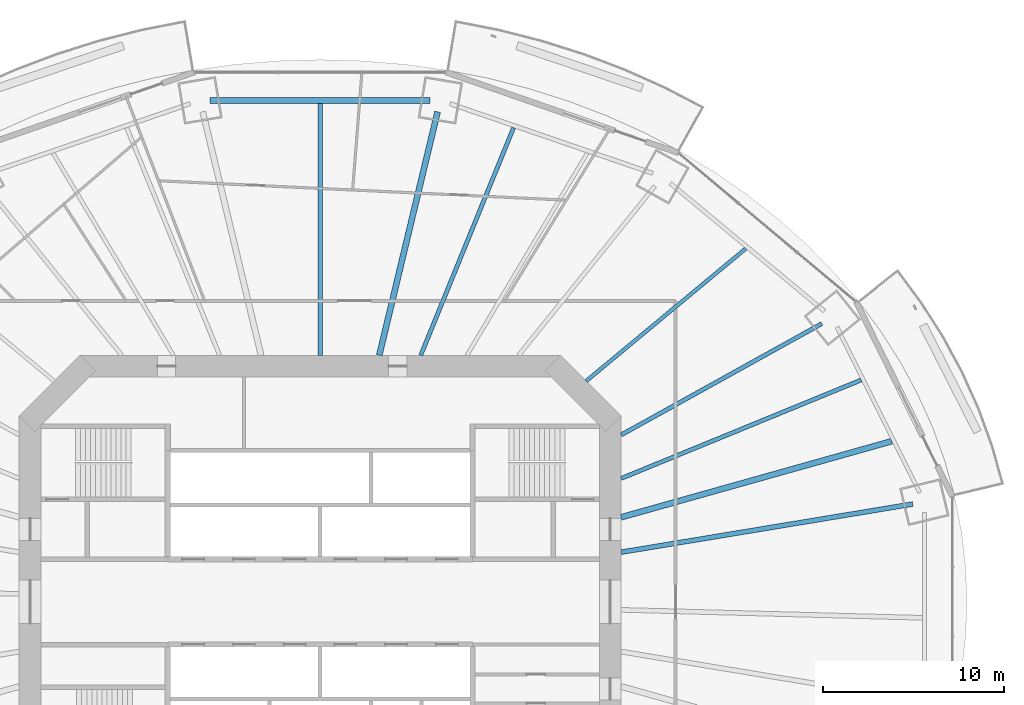
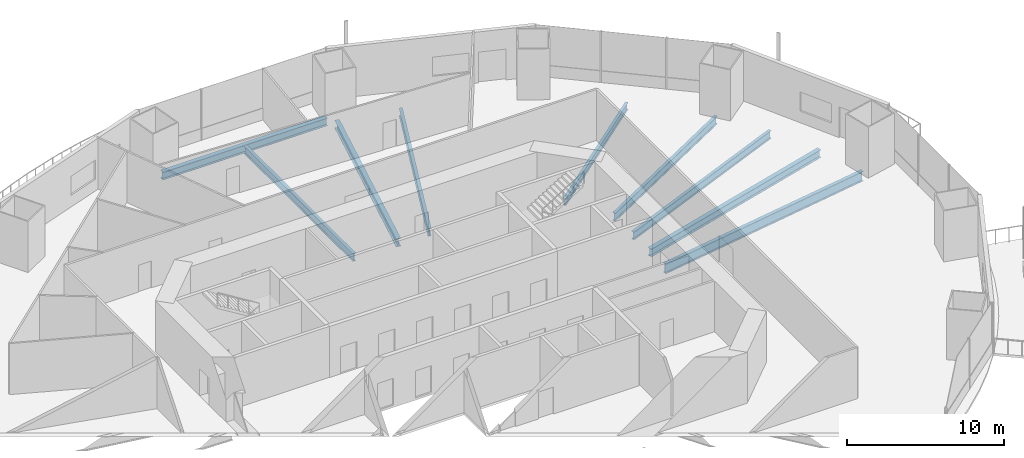
# One storey, part 8 of 22: 9 beams.
"""IFC4 building model written with IfcOpenShell, lengths in metres."""

from ifc_helpers import new_model, si_unit, direction, frame, origin, origin_2d, place, context, subcontext, project, spatial, i_section, extrude, material, material_profile, profile_set, type_object, element, save


model = new_model("IFC4")

# Units and contexts
model_context = context("Model", 3, precision=1e-05, world=origin(), true_north=direction((0.0, 1.0)))
body_context = subcontext(model_context, "Body", "Model", "MODEL_VIEW")
ifc_project = project(units=[si_unit("LENGTHUNIT", "METRE"), si_unit("AREAUNIT", "SQUARE_METRE"), si_unit("VOLUMEUNIT", "CUBIC_METRE"), si_unit("PLANEANGLEUNIT", "RADIAN"), si_unit("MASSUNIT", "GRAM", prefix="KILO")], contexts=[model_context])

# Site, building, storey
site_placement = place(None, origin())
site = spatial("IfcSite", under=ifc_project, at=site_placement, CompositionType="ELEMENT")
building_placement = place(site_placement, origin())
building = spatial("IfcBuilding", under=site, at=building_placement, Name="Marenthal Gate Tower", CompositionType="ELEMENT")
storey_placement = place(building_placement, frame((0.0, 0.0, 78.64990234375)))
storey = spatial("IfcBuildingStorey", under=building, at=storey_placement, Name="L15", CompositionType="ELEMENT", Elevation=78.64990234375)

# Beams
ifc_material_1 = material(Name="Steel S355", Category="steel")
ifc_material_profile_1 = material_profile(ifc_material_1, i_section(OverallWidth=0.2099609375, OverallDepth=0.535888671875, WebThickness=0.010986328125, FlangeThickness=0.017333984375, FilletRadius=0.0126953125, at=origin_2d()), Name="W530X101")
ifc_profile_set_1 = profile_set([ifc_material_profile_1], Name="Steel S355")
beam_type_1 = type_object("IfcBeamType", Name="W530X101 beam", PredefinedType="BEAM", material=ifc_profile_set_1)
beam_1_placement = place(storey_placement, frame((23.47119140625, 19.485595703125, -0.447998046875), z_axis=(-0.769402561639, -0.638764196041, 0.0), x_axis=(0.638764196041, -0.769402561639, 0.0)))
element("IfcBeam", 1, at=beam_1_placement, inside=storey, type_object=beam_type_1, Name="BM-L15-19", PredefinedType="BEAM", context=body_context, shape_type="SweptSolid", body=[
    extrude(i_section(OverallWidth=0.2099609375, OverallDepth=0.535888671875, WebThickness=0.010986328125, FlangeThickness=0.017333984375, FilletRadius=0.0126953125, at=origin_2d()), origin(), (0.0, 0.0, 1.0), 11.439208984375),
])
ifc_material_2 = material(Name="Steel S355", Category="steel")
ifc_material_profile_2 = material_profile(ifc_material_2, i_section(OverallWidth=0.22900390625, OverallDepth=0.612060546875, WebThickness=0.011962890625, FlangeThickness=0.01953125, FilletRadius=0.0126953125, at=origin_2d()), Name="W610X125")
ifc_profile_set_2 = profile_set([ifc_material_profile_2], Name="Steel S355")
beam_type_2 = type_object("IfcBeamType", Name="W610X125 beam", PredefinedType="BEAM", material=ifc_profile_set_2)
beam_2_placement = place(storey_placement, frame((27.6640625, 15.345703125, -0.48583984375), z_axis=(-0.874465657006, -0.485087429972, 0.0), x_axis=(0.485087429972, -0.874465657006, 0.0)))
element("IfcBeam", 2, at=beam_2_placement, inside=storey, type_object=beam_type_2, Name="BM-L15-02", PredefinedType="BEAM", context=body_context, shape_type="SweptSolid", body=[
    extrude(i_section(OverallWidth=0.22900390625, OverallDepth=0.612060546875, WebThickness=0.011962890625, FlangeThickness=0.01953125, FilletRadius=0.0126953125, at=origin_2d()), origin(), (0.0, 0.0, 1.0), 12.65234375),
])
beam_3_placement = place(storey_placement, frame((29.840087890625, 12.239990234375, -0.48583984375), z_axis=(-0.925190275705, -0.379503562225, 0.0), x_axis=(0.379503562225, -0.925190275705, 0.0)))
element("IfcBeam", 3, at=beam_3_placement, inside=storey, type_object=beam_type_2, Name="BM-L15-18", PredefinedType="BEAM", context=body_context, shape_type="SweptSolid", body=[
    extrude(i_section(OverallWidth=0.22900390625, OverallDepth=0.612060546875, WebThickness=0.011962890625, FlangeThickness=0.01953125, FilletRadius=0.0126953125, at=origin_2d()), origin(), (0.0, 0.0, 1.0), 14.310546875),
])
beam_4_placement = place(storey_placement, frame((10.666748046875, 26.152099609375, -0.48583984375), z_axis=(-0.377666991807, -0.925941490214, 0.0), x_axis=(0.925941490214, -0.377666991807, 0.0)))
element("IfcBeam", 4, at=beam_4_placement, inside=storey, type_object=beam_type_2, Name="BM-L15-21", PredefinedType="BEAM", context=body_context, shape_type="SweptSolid", body=[
    extrude(i_section(OverallWidth=0.22900390625, OverallDepth=0.612060546875, WebThickness=0.011962890625, FlangeThickness=0.01953125, FilletRadius=0.0126953125, at=origin_2d()), origin(), (0.0, 0.0, 1.0), 13.555908203125),
])
beam_5_placement = place(storey_placement, frame((0.0, 27.49951171875, -0.48583984375), z_axis=(0.0, -1.0, 0.0), x_axis=(1.0, 0.0, 0.0)))
element("IfcBeam", 5, at=beam_5_placement, inside=storey, type_object=beam_type_2, Name="BM-L15-22", PredefinedType="BEAM", context=body_context, shape_type="SweptSolid", body=[
    extrude(i_section(OverallWidth=0.22900390625, OverallDepth=0.612060546875, WebThickness=0.011962890625, FlangeThickness=0.01953125, FilletRadius=0.0126953125, at=origin_2d()), origin(), (0.0, 0.0, 1.0), 13.8994140625),
])
ifc_material_3 = material(Name="Steel S355", Category="steel")
ifc_material_profile_3 = material_profile(ifc_material_3, i_section(OverallWidth=0.324951171875, OverallDepth=0.612060546875, WebThickness=0.0126953125, FlangeThickness=0.01904296875, FilletRadius=0.0126953125, at=origin_2d()), Name="W610X155")
ifc_profile_set_3 = profile_set([ifc_material_profile_3], Name="Steel S355")
beam_type_3 = type_object("IfcBeamType", Name="W610X155 beam", PredefinedType="BEAM", material=ifc_profile_set_3)
beam_6_placement = place(storey_placement, frame((6.4755859375, 27.027099609375, -0.48583984375), z_axis=(-0.233000428797, -0.972476632203, 0.0), x_axis=(0.972476632203, -0.233000428797, 0.0)))
element("IfcBeam", 6, at=beam_6_placement, inside=storey, type_object=beam_type_3, Name="BM-L15-04", PredefinedType="BEAM", context=body_context, shape_type="SweptSolid", body=[
    extrude(i_section(OverallWidth=0.324951171875, OverallDepth=0.612060546875, WebThickness=0.0126953125, FlangeThickness=0.01904296875, FilletRadius=0.0126953125, at=origin_2d()), origin(), (0.0, 0.0, 1.0), 13.80712890625),
])
beam_7_placement = place(storey_placement, frame((31.525390625, 8.862060546875, -0.48583984375), z_axis=(-0.962687612966, -0.270615150797, 0.0), x_axis=(0.270615150797, -0.962687612966, 0.0)))
element("IfcBeam", 7, at=beam_7_placement, inside=storey, type_object=beam_type_3, Name="BM-L15-17", PredefinedType="BEAM", context=body_context, shape_type="SweptSolid", body=[
    extrude(i_section(OverallWidth=0.324951171875, OverallDepth=0.612060546875, WebThickness=0.0126953125, FlangeThickness=0.01904296875, FilletRadius=0.0126953125, at=origin_2d()), origin(), (0.0, 0.0, 1.0), 15.503662109375),
])
beam_8_placement = place(storey_placement, frame((6.063720703125, 27.662109375, -0.48583984375), z_axis=(-1.0, 0.0, 0.0), x_axis=(0.0, -1.0, 0.0)))
element("IfcBeam", 8, at=beam_8_placement, inside=storey, type_object=beam_type_3, Name="BM-L15-44", PredefinedType="BEAM", context=body_context, shape_type="SweptSolid", body=[
    extrude(i_section(OverallWidth=0.324951171875, OverallDepth=0.612060546875, WebThickness=0.0126953125, FlangeThickness=0.01904296875, FilletRadius=0.0126953125, at=origin_2d()), origin(), (0.0, 0.0, 1.0), 12.12744140625),
])
ifc_material_4 = material(Name="Steel S355", Category="steel")
ifc_material_profile_4 = material_profile(ifc_material_4, i_section(OverallWidth=0.26708984375, OverallDepth=0.761962890625, WebThickness=0.014404296875, FlangeThickness=0.021484375, FilletRadius=0.0166015625, at=origin_2d()), Name="W760X173")
ifc_profile_set_4 = profile_set([ifc_material_profile_4], Name="Steel S355")
beam_type_4 = type_object("IfcBeamType", Name="W760X173 beam", PredefinedType="BEAM", material=ifc_profile_set_4)
beam_9_placement = place(storey_placement, frame((32.676025390625, 5.39599609375, -0.560791015625), z_axis=(-0.986637030798, -0.162933635137, 0.0), x_axis=(0.162933635137, -0.986637030798, 0.0)))
element("IfcBeam", 9, at=beam_9_placement, inside=storey, type_object=beam_type_4, Name="BM-L15-01", PredefinedType="BEAM", context=body_context, shape_type="SweptSolid", body=[
    extrude(i_section(OverallWidth=0.26708984375, OverallDepth=0.761962890625, WebThickness=0.014404296875, FlangeThickness=0.021484375, FilletRadius=0.0166015625, at=origin_2d()), origin(), (0.0, 0.0, 1.0), 16.293701171875),
])

save(model, "model.ifc")
